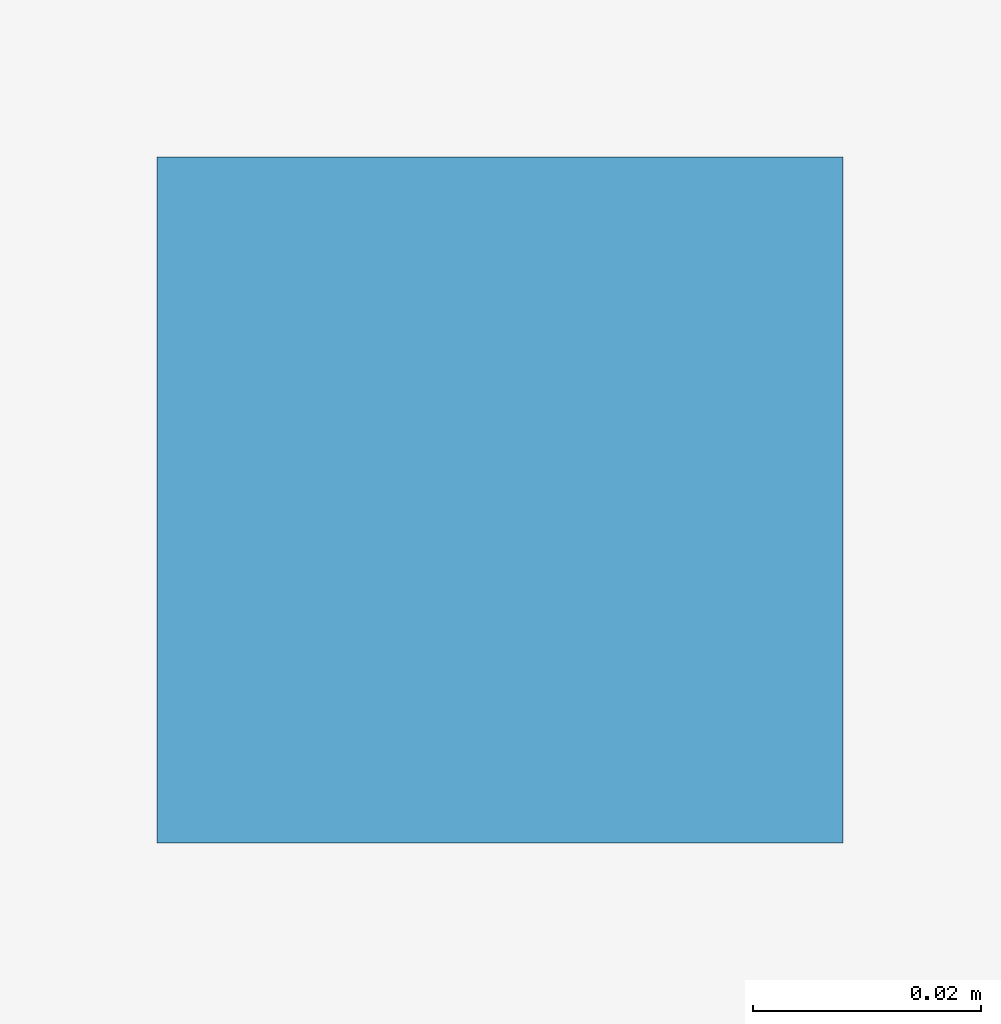
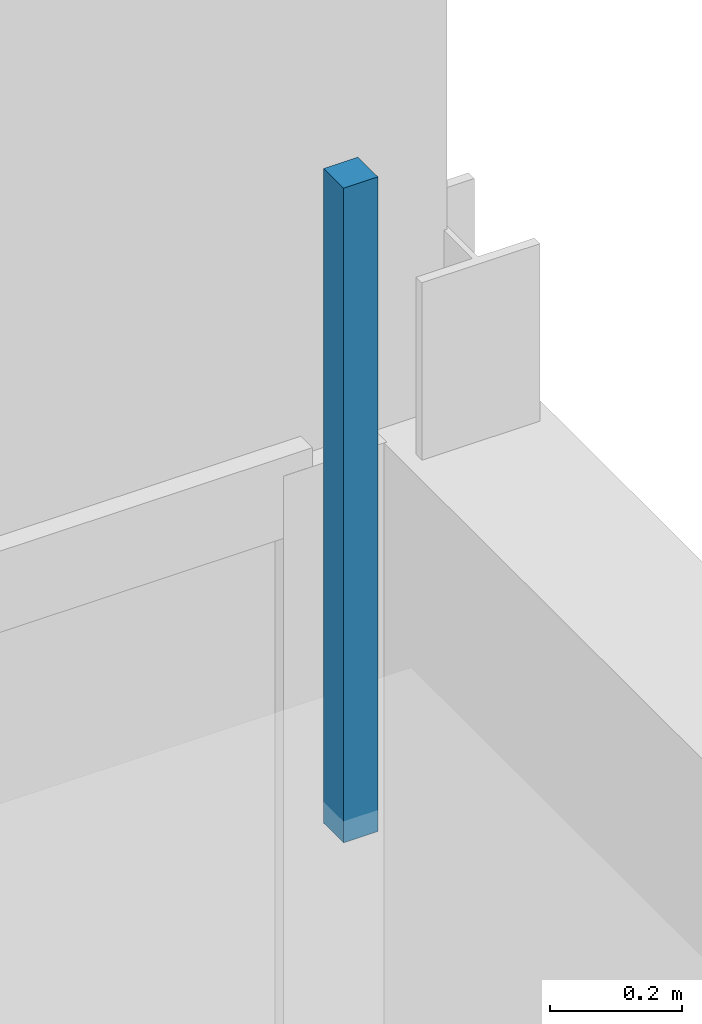
# One storey, part 33 of 41: 1 discrete accessory.
"""IFC4 building model written with IfcOpenShell, lengths in metres."""

from ifc_helpers import new_model, si_unit, direction, frame, origin, place, context, subcontext, project, spatial, polyline, outline, extrude, material, type_object, element, save


model = new_model("IFC4")

# Units and contexts
model_context = context("Model", 3, precision=1e-05, world=origin(), true_north=direction((0.0, 1.0)))
body_context = subcontext(model_context, "Body", "Model", "MODEL_VIEW")
ifc_project = project(units=[si_unit("LENGTHUNIT", "METRE"), si_unit("AREAUNIT", "SQUARE_METRE"), si_unit("VOLUMEUNIT", "CUBIC_METRE"), si_unit("PLANEANGLEUNIT", "RADIAN"), si_unit("MASSUNIT", "GRAM", prefix="KILO")], contexts=[model_context])

# Site, building, storey
site_placement = place(None, origin())
site = spatial("IfcSite", under=ifc_project, at=site_placement, CompositionType="ELEMENT")
building_placement = place(site_placement, origin())
building = spatial("IfcBuilding", under=site, at=building_placement, Name="Dunescarp Central Library", CompositionType="ELEMENT")
storey_placement = place(building_placement, frame((0.0, 0.0, 23.10009765625)))
storey = spatial("IfcBuildingStorey", under=building, at=storey_placement, Name="L05", CompositionType="ELEMENT", Elevation=23.10009765625)

# Discrete accessory
ifc_material = material(Name="Stainless steel Grade 316L", Category="steel")
discrete_accessory_type = type_object("IfcDiscreteAccessoryType", Name="ARC-ACC-BRK", PredefinedType="BRACKET", material=ifc_material)
discrete_accessory_placement = place(storey_placement, frame((0.0, 0.0, 3.059814453125)))
element("IfcDiscreteAccessory", 1, at=discrete_accessory_placement, inside=storey, type_object=discrete_accessory_type, Name="L05 ceiling hanger CLG-L05-088-H2", PredefinedType="BRACKET", context=body_context, shape_type="SweptSolid", body=[
    extrude(outline(polyline([(76.3798828125, 28.3798828125), (76.43994140625, 28.3798828125), (76.43994140625, 28.43994140625), (76.3798828125, 28.43994140625), (76.3798828125, 28.3798828125)])), origin(), (0.0, 0.0, 1.0), 1.2080078125),
])

save(model, "model.ifc")
